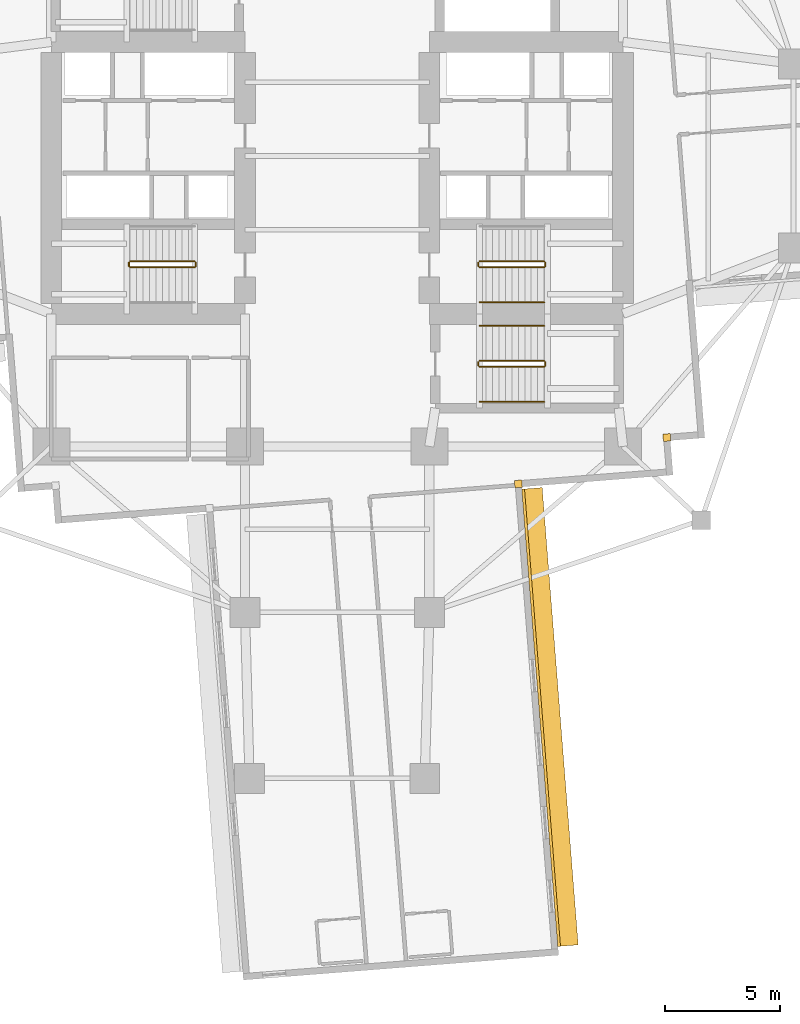
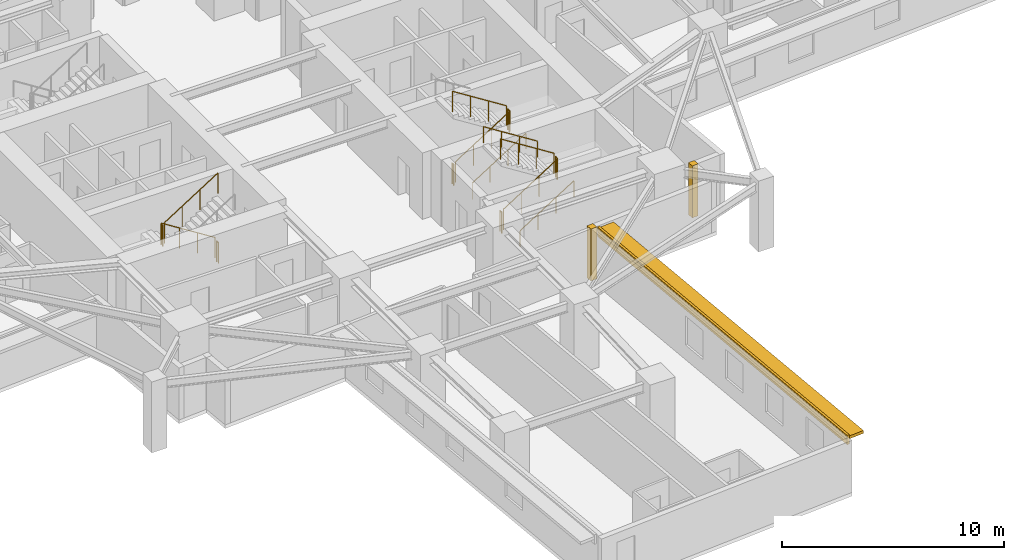
# One storey, part 10 of 13: 15 railings, 3 coverings, 1 shading device.
"""IFC4 building model written with IfcOpenShell, lengths in metres."""

import ifcopenshell
import ifcopenshell.guid

model = None  # the IFC model being written
_history = None  # IfcOwnerHistory: only IFC2X3 demands one
_inside = {}  # id of a spatial element -> (the spatial element, [elements in it])
_under = {}  # id of a project, library or spatial element -> (it, [spatial elements below it])
_declared = {}  # id of a project -> (the project, [libraries it declares])
_typed = {}  # id of a type object -> (the type object, [elements of that type])
_made_of = {}  # id of a material, layer set ... -> (it, [elements and type objects made of it])


def new_model(schema):
    """Start an empty IFC model of exactly this schema.

    Asked for "IFC4X3", IfcOpenShell would pick the latest addendum, in which some entities
    have other attributes; the version numbers below select the first issue.
    IFC2X3 requires an IfcOwnerHistory on every rooted entity: one is made here for all.
    """
    global model, _history
    if schema == "IFC4X3":
        model = ifcopenshell.file(schema_version=(4, 3, 0, 0))
    else:
        model = ifcopenshell.file(schema=schema)
    _inside.clear()
    _under.clear()
    _declared.clear()
    _typed.clear()
    _made_of.clear()
    _history = None
    if model.schema == "IFC2X3":
        org = make("IfcOrganization", Name="unknown")
        user = make(
            "IfcPersonAndOrganization",
            ThePerson=make("IfcPerson", FamilyName="unknown"),
            TheOrganization=org,
        )
        app = make(
            "IfcApplication",
            ApplicationDeveloper=org,
            Version="unknown",
            ApplicationFullName="unknown",
            ApplicationIdentifier="unknown",
        )
        _history = make(
            "IfcOwnerHistory",
            OwningUser=user,
            OwningApplication=app,
            ChangeAction="ADDED",
            CreationDate=0,
        )
    return model


def make(cls, **values):
    """One entity of the class cls with the attributes given. An attribute that is None is left unset."""
    return model.create_entity(
        cls, **{name: value for name, value in values.items() if value is not None}
    )


def rooted(cls, **values):
    """An entity with a GlobalId (a new one), such as an element, a storey or a relation."""
    return make(cls, GlobalId=ifcopenshell.guid.new(), OwnerHistory=_history, **values)


def si_unit(unit_type, name, prefix=None):
    """IfcSIUnit, for example si_unit("LENGTHUNIT", "METRE", prefix="MILLI")."""
    return make("IfcSIUnit", UnitType=unit_type, Prefix=prefix, Name=name)


def assignment(units):
    """IfcUnitAssignment: the units of a project."""
    return None if units is None else make("IfcUnitAssignment", Units=units)


def point(xyz):
    """IfcCartesianPoint."""
    return None if xyz is None else make("IfcCartesianPoint", Coordinates=xyz)


def direction(xyz):
    """IfcDirection."""
    return None if xyz is None else make("IfcDirection", DirectionRatios=xyz)


def frame(location, z_axis=None, x_axis=None):
    """IfcAxis2Placement3D, a coordinate frame: its origin and axes. An axis left out is left unset."""
    return make(
        "IfcAxis2Placement3D",
        Location=point(location),
        Axis=direction(z_axis),
        RefDirection=direction(x_axis),
    )


def frame_2d(location, x_axis=None):
    """IfcAxis2Placement2D, a coordinate frame in the plane: its origin and x axis."""
    return make(
        "IfcAxis2Placement2D", Location=point(location), RefDirection=direction(x_axis)
    )


def origin():
    """The frame at (0, 0, 0) with its axes left unset."""
    return frame((0.0, 0.0, 0.0))


def origin_2d():
    """The frame at (0, 0) in the plane with its x axis left unset."""
    return frame_2d((0.0, 0.0))


def place(relative_to, where):
    """IfcLocalPlacement: puts the frame where relative to a parent placement (None: the world)."""
    return make(
        "IfcLocalPlacement", PlacementRelTo=relative_to, RelativePlacement=where
    )


def context(
    kind, dimensions, precision=None, world=None, true_north=None, identifier=None
):
    """IfcGeometricRepresentationContext, for example the 3D "Model" context."""
    return make(
        "IfcGeometricRepresentationContext",
        ContextIdentifier=identifier,
        ContextType=kind,
        CoordinateSpaceDimension=dimensions,
        Precision=precision,
        WorldCoordinateSystem=world,
        TrueNorth=true_north,
    )


def subcontext(parent, identifier, kind, view, scale=None):
    """IfcGeometricRepresentationSubContext, for example "Body" below "Model"."""
    return make(
        "IfcGeometricRepresentationSubContext",
        ContextIdentifier=identifier,
        ContextType=kind,
        ParentContext=parent,
        TargetScale=scale,
        TargetView=view,
    )


def project(units=None, contexts=None):
    """IfcProject with its units and contexts."""
    return rooted(
        "IfcProject",
        Name="project",
        RepresentationContexts=contexts,
        UnitsInContext=assignment(units),
    )


def spatial(cls, under=None, at=None, **own):
    """A site, building, storey or space (cls), placed at a placement, below another one or the project."""
    s = rooted(cls, ObjectPlacement=at, **own)
    if under is not None:
        _under.setdefault(under.id(), (under, []))[1].append(s)
    return s


def profile(cls, at=None, kind="AREA", **sizes):
    """A parametric profile (cls). Its sizes go by their IFC names, for example OverallWidth=200.0."""
    return make(cls, ProfileType=kind, Position=at, **sizes)


def rectangle(**sizes):
    """IfcRectangleProfileDef."""
    return profile("IfcRectangleProfileDef", **sizes)


def circle(**sizes):
    """IfcCircleProfileDef."""
    return profile("IfcCircleProfileDef", **sizes)


def extrude(swept, where, along, depth):
    """IfcExtrudedAreaSolid: the profile swept, set in the frame where, extruded along a direction by depth."""
    return make(
        "IfcExtrudedAreaSolid",
        SweptArea=swept,
        Position=where,
        ExtrudedDirection=direction(along),
        Depth=depth,
    )


def shape(context_of_items, identifier, shape_type, items):
    """IfcShapeRepresentation: the items that make up one representation, for example the "Body"."""
    return make(
        "IfcShapeRepresentation",
        ContextOfItems=context_of_items,
        RepresentationIdentifier=identifier,
        RepresentationType=shape_type,
        Items=items,
    )


def material(Name=None, Category=None):
    """IfcMaterial."""
    return make("IfcMaterial", Name=Name, Category=Category)


def layer(
    of_material, thickness, ventilated=None, Name=None, Category=None, Priority=None
):
    """IfcMaterialLayer: one layer of a wall or slab, of a material (None: an air gap)."""
    return make(
        "IfcMaterialLayer",
        Material=of_material,
        LayerThickness=thickness,
        IsVentilated=ventilated,
        Name=Name,
        Category=Category,
        Priority=Priority,
    )


def layer_set(layers, Name=None):
    """IfcMaterialLayerSet."""
    return make("IfcMaterialLayerSet", MaterialLayers=layers, LayerSetName=Name)


def made_of(thing, what):
    """Note that an element or type object is made of a material, layer set ...; save() writes the relation."""
    if what is not None:
        _made_of.setdefault(what.id(), (what, []))[1].append(thing)
    return thing


def type_object(cls, material=None, **own):
    """A type object (cls), such as IfcWallType, which elements share."""
    return made_of(rooted(cls, **own), material)


def element(
    cls,
    number,
    at=None,
    inside=None,
    cuts=None,
    type_object=None,
    material=None,
    context=None,
    identifier="Body",
    shape_type=None,
    held_by="IfcProductDefinitionShape",
    body=None,
    shapes=None,
    **own,
):
    """One element of the class cls, such as IfcWall. Its Tag is "e" and its number.

    at: its placement. inside: the storey or other place that contains it. cuts: it is an
    opening in that element (IfcRelVoidsElement). A single representation is given by context,
    identifier, shape_type and body (its items); several are given by shapes. held_by: the class
    of the entity that holds the representations. save() writes the other relations.
    """
    e = rooted(cls, Tag="e%d" % number, ObjectPlacement=at, **own)
    if body is not None:
        shapes = [shape(context, identifier, shape_type, body)]
    if shapes is not None:
        e.Representation = make(held_by, Representations=shapes)
    if inside is not None:
        _inside.setdefault(inside.id(), (inside, []))[1].append(e)
    if cuts is not None:
        rooted(
            "IfcRelVoidsElement", RelatingBuildingElement=cuts, RelatedOpeningElement=e
        )
    if type_object is not None:
        _typed.setdefault(type_object.id(), (type_object, []))[1].append(e)
    return made_of(e, material)


def aggregate(whole, parts):
    """IfcRelAggregates: a whole, such as a stair, and the parts it consists of."""
    return rooted("IfcRelAggregates", RelatingObject=whole, RelatedObjects=parts)


def save(model, path):
    """Write the relations noted so far, then the file.

    IfcRelAggregates (storeys below a building ...), IfcRelContainedInSpatialStructure (elements
    in a storey), IfcRelDefinesByType, IfcRelAssociatesMaterial and IfcRelDeclares: one each for
    every whole, place, type object, material and project.
    """
    for whole, parts in _under.values():
        aggregate(whole, parts)
    for where, things in _inside.values():
        rooted(
            "IfcRelContainedInSpatialStructure",
            RelatedElements=things,
            RelatingStructure=where,
        )
    for kind, things in _typed.values():
        rooted("IfcRelDefinesByType", RelatedObjects=things, RelatingType=kind)
    for what, things in _made_of.values():
        rooted("IfcRelAssociatesMaterial", RelatedObjects=things, RelatingMaterial=what)
    for by, libraries in _declared.values():
        rooted("IfcRelDeclares", RelatingContext=by, RelatedDefinitions=libraries)
    model.write(path)


model = new_model("IFC4")

# Units and contexts
model_context = context("Model", 3, precision=1e-05, world=origin(), true_north=direction((0.0, 1.0)))
body_context = subcontext(model_context, "Body", "Model", "MODEL_VIEW")
ifc_project = project(units=[si_unit("LENGTHUNIT", "METRE"), si_unit("AREAUNIT", "SQUARE_METRE"), si_unit("VOLUMEUNIT", "CUBIC_METRE"), si_unit("PLANEANGLEUNIT", "RADIAN"), si_unit("MASSUNIT", "GRAM", prefix="KILO")], contexts=[model_context])

# Site, building, storey
site_placement = place(None, origin())
site = spatial("IfcSite", under=ifc_project, at=site_placement, CompositionType="ELEMENT")
building_placement = place(site_placement, origin())
building = spatial("IfcBuilding", under=site, at=building_placement, Name="Qingluan Cross Belvedere", CompositionType="ELEMENT")
storey_placement = place(building_placement, frame((0.0, 0.0, 43.199951171875)))
storey = spatial("IfcBuildingStorey", under=building, at=storey_placement, Name="L11", CompositionType="ELEMENT", Elevation=43.199951171875)

# Coverings
ifc_material_1 = material(Name="Precast concrete C45", Category="concrete")
ifc_layer_1 = layer(ifc_material_1, 0.1201171875, Name="ConcreteSpandrelCladding_120")
ifc_layer_set_1 = layer_set([ifc_layer_1], Name="Precast concrete C45")
covering_type = type_object("IfcCoveringType", Name="ConcreteSpandrelCladding_120", PredefinedType="CLADDING", material=ifc_layer_set_1)
covering_placement = place(storey_placement, frame((8.849365234375, -24.370849609375, 2.400146484375), z_axis=(0.0, 0.0, 1.0), x_axis=(-0.078457869429, 0.996917430244, 0.0)))
element("IfcCovering", 1, at=covering_placement, inside=storey, type_object=covering_type, Name="Spandrel cladding L11-SB", PredefinedType="CLADDING", context=body_context, shape_type="SweptSolid", body=[
    extrude(rectangle(XDim=19.89990234375, YDim=0.1201171875, at=origin_2d()), origin(), (0.0, 0.0, 1.0), 0.52001953125),
])
for number, where, z_axis, x_axis, name in (
    (2, (14.302490234375, -12.215576171875, 0.0), (0.0, 0.0, 1.0), (0.996917333733, 0.078459095728, 0.0), "Corner closure L11-SE1"),
    (3, (7.860595703125, -14.22705078125, 0.0), (0.0, 0.0, 1.0), (0.996917333733, 0.078459095728, 0.0), "Corner closure L11-SE2"),
):
    element("IfcCovering", number, at=place(storey_placement, frame(where, z_axis=z_axis, x_axis=x_axis)), inside=storey, type_object=covering_type, Name=name, PredefinedType="CLADDING", context=body_context, shape_type="SweptSolid", body=[
        extrude(rectangle(XDim=0.320068359375, YDim=0.320068359375, at=origin_2d()), origin(), (0.0, 0.0, 1.0), 2.860107421875),
    ])

# Shading device
ifc_material_2 = material(Name="Precast concrete C45", Category="concrete")
ifc_layer_2 = layer(ifc_material_2, 0.159912109375, Name="ConcreteSunshadeBand_900")
ifc_layer_set_2 = layer_set([ifc_layer_2], Name="Precast concrete C45")
shading_device_type = type_object("IfcShadingDeviceType", Name="ConcreteSunshadeBand_900", PredefinedType="USERDEFINED", material=ifc_layer_set_2)
shading_device_placement = place(storey_placement, frame((9.228271484375, -24.341064453125, 2.68017578125), z_axis=(0.0, 0.0, 1.0), x_axis=(-0.078457869429, 0.996917430244, 0.0)))
element("IfcShadingDevice", 4, at=shading_device_placement, inside=storey, type_object=shading_device_type, Name="Concrete SUNSHADE L11-SB", ObjectType="SUNSHADE", PredefinedType="USERDEFINED", context=body_context, shape_type="SweptSolid", body=[
    extrude(rectangle(XDim=19.89990234375, YDim=0.89990234375, at=origin_2d()), origin(), (0.0, 0.0, 1.0), 0.159912109375),
])

# Railings
ifc_material_3 = material(Name="Brushed stainless steel tubular handrail", Category="steel")
railing_type_1 = type_object("IfcRailingType", Name="StairPitchHandrail_900", PredefinedType="HANDRAIL", material=ifc_material_3)
for number, where, name in (
    (5, (6.179931640625, -6.35009765625, 0.17724609375), "L11 ST2 stair handrail 1"),
    (6, (6.179931640625, -10.669921875, 0.17724609375), "L11 ST4 stair handrail 1"),
):
    element("IfcRailing", number, at=place(storey_placement, frame(where)), inside=storey, type_object=railing_type_1, Name=name, PredefinedType="HANDRAIL", context=body_context, shape_type="SweptSolid", body=[
        extrude(circle(Radius=0.02392578125, at=origin_2d()), frame((0.0, 0.0, 0.8759765625), z_axis=(0.844908973607, 0.0, 0.534910110503), x_axis=(0.0, 1.0, 0.0)), (0.0, 0.0, 1.0), 3.31396484375),
        extrude(circle(Radius=0.02099609375, at=origin_2d()), origin(), (0.0, 0.0, 1.0), 0.851806640625),
        extrude(circle(Radius=0.02099609375, at=origin_2d()), frame((0.933349609375, 0.0, 0.5908203125)), (0.0, 0.0, 1.0), 0.851806640625),
        extrude(circle(Radius=0.02099609375, at=origin_2d()), frame((1.86669921875, 0.0, 1.181884765625)), (0.0, 0.0, 1.0), 0.851806640625),
        extrude(circle(Radius=0.02099609375, at=origin_2d()), frame((2.800048828125, 0.0, 1.772705078125)), (0.0, 0.0, 1.0), 0.851806640625),
    ])
railing_1_placement = place(storey_placement, frame((8.97998046875, -7.3701171875, 2.12744140625)))
element("IfcRailing", 7, at=railing_1_placement, inside=storey, type_object=railing_type_1, Name="L11 ST4 stair handrail 2", PredefinedType="HANDRAIL", context=body_context, shape_type="SweptSolid", body=[
    extrude(circle(Radius=0.02392578125, at=origin_2d()), frame((0.0, 0.0, 0.8759765625), z_axis=(-0.844908973607, 0.0, 0.534910110503), x_axis=(0.0, -1.0, 0.0)), (0.0, 0.0, 1.0), 3.31396484375),
    extrude(circle(Radius=0.02099609375, at=origin_2d()), origin(), (0.0, 0.0, 1.0), 0.851806640625),
    extrude(circle(Radius=0.02099609375, at=origin_2d()), frame((-0.933349609375, 0.0, 0.5908203125)), (0.0, 0.0, 1.0), 0.851806640625),
    extrude(circle(Radius=0.02099609375, at=origin_2d()), frame((-1.86669921875, 0.0, 1.181884765625)), (0.0, 0.0, 1.0), 0.851806640625),
    extrude(circle(Radius=0.02099609375, at=origin_2d()), frame((-2.800048828125, 0.0, 1.772705078125)), (0.0, 0.0, 1.0), 0.851806640625),
])
ifc_material_4 = material(Name="Painted steel stair well guard", Category="steel")
railing_type_2 = type_object("IfcRailingType", Name="StairWellGuard_1150", PredefinedType="BALUSTRADE", material=ifc_material_4)
railing_2_placement = place(storey_placement, frame((-6.179931640625, -4.570068359375, 0.17724609375)))
element("IfcRailing", 8, at=railing_2_placement, inside=storey, type_object=railing_type_2, Name="L11 ST1 stair guard 1", PredefinedType="BALUSTRADE", context=body_context, shape_type="SweptSolid", body=[
    extrude(circle(Radius=0.02392578125, at=origin_2d()), frame((0.0, 0.0, 1.1259765625), z_axis=(-0.844908973607, 0.0, 0.534910110503), x_axis=(0.0, -1.0, 0.0)), (0.0, 0.0, 1.0), 3.31396484375),
    extrude(circle(Radius=0.02099609375, at=origin_2d()), origin(), (0.0, 0.0, 1.0), 1.101806640625),
    extrude(circle(Radius=0.02099609375, at=origin_2d()), frame((-0.933349609375, 0.0, 0.5908203125)), (0.0, 0.0, 1.0), 1.101806640625),
    extrude(circle(Radius=0.02099609375, at=origin_2d()), frame((-1.86669921875, 0.0, 1.181884765625)), (0.0, 0.0, 1.0), 1.101806640625),
    extrude(circle(Radius=0.02099609375, at=origin_2d()), frame((-2.800048828125, 0.0, 1.772705078125)), (0.0, 0.0, 1.0), 1.101806640625),
])
railing_3_placement = place(storey_placement, frame((-9.030029296875, -4.6201171875, 1.949951171875)))
element("IfcRailing", 9, at=railing_3_placement, inside=storey, type_object=railing_type_2, Name="L11 ST1 stair guard 2", PredefinedType="BALUSTRADE", context=body_context, shape_type="SweptSolid", body=[
    extrude(circle(Radius=0.02392578125, at=origin_2d()), frame((0.0, 0.0, 1.1259765625), z_axis=(0.0, -1.0, 0.0), x_axis=(1.0, 0.0, 0.0)), (0.0, 0.0, 1.0), 0.159912109375),
    extrude(circle(Radius=0.02099609375, at=origin_2d()), origin(), (0.0, 0.0, 1.0), 1.101806640625),
    extrude(circle(Radius=0.02099609375, at=origin_2d()), frame((0.0, -0.159912109375, 0.0)), (0.0, 0.0, 1.0), 1.101806640625),
])
railing_4_placement = place(storey_placement, frame((-8.97998046875, -4.830078125, 2.12744140625)))
element("IfcRailing", 10, at=railing_4_placement, inside=storey, type_object=railing_type_2, Name="L11 ST1 stair guard 3", PredefinedType="BALUSTRADE", context=body_context, shape_type="SweptSolid", body=[
    extrude(circle(Radius=0.02392578125, at=origin_2d()), frame((0.0, 0.0, 1.1259765625), z_axis=(0.844908973607, 0.0, 0.534910110503), x_axis=(0.0, 1.0, 0.0)), (0.0, 0.0, 1.0), 3.31396484375),
    extrude(circle(Radius=0.02099609375, at=origin_2d()), origin(), (0.0, 0.0, 1.0), 1.101806640625),
    extrude(circle(Radius=0.02099609375, at=origin_2d()), frame((0.933349609375, 0.0, 0.5908203125)), (0.0, 0.0, 1.0), 1.101806640625),
    extrude(circle(Radius=0.02099609375, at=origin_2d()), frame((1.86669921875, 0.0, 1.181884765625)), (0.0, 0.0, 1.0), 1.101806640625),
    extrude(circle(Radius=0.02099609375, at=origin_2d()), frame((2.800048828125, 0.0, 1.772705078125)), (0.0, 0.0, 1.0), 1.101806640625),
])
railing_5_placement = place(storey_placement, frame((-6.1298828125, -4.6201171875, 0.0)))
element("IfcRailing", 11, at=railing_5_placement, inside=storey, type_object=railing_type_2, Name="L11 ST1 stair guard 4", PredefinedType="BALUSTRADE", context=body_context, shape_type="SweptSolid", body=[
    extrude(circle(Radius=0.02392578125, at=origin_2d()), frame((0.0, 0.0, 1.1259765625), z_axis=(0.0, -1.0, 0.0), x_axis=(1.0, 0.0, 0.0)), (0.0, 0.0, 1.0), 0.159912109375),
    extrude(circle(Radius=0.02099609375, at=origin_2d()), origin(), (0.0, 0.0, 1.0), 1.101806640625),
    extrude(circle(Radius=0.02099609375, at=origin_2d()), frame((0.0, -0.159912109375, 0.0)), (0.0, 0.0, 1.0), 1.101806640625),
])
railing_6_placement = place(storey_placement, frame((6.179931640625, -4.830078125, 0.17724609375)))
element("IfcRailing", 12, at=railing_6_placement, inside=storey, type_object=railing_type_2, Name="L11 ST2 stair guard 1", PredefinedType="BALUSTRADE", context=body_context, shape_type="SweptSolid", body=[
    extrude(circle(Radius=0.02392578125, at=origin_2d()), frame((0.0, 0.0, 1.1259765625), z_axis=(0.844908973607, 0.0, 0.534910110503), x_axis=(0.0, 1.0, 0.0)), (0.0, 0.0, 1.0), 3.31396484375),
    extrude(circle(Radius=0.02099609375, at=origin_2d()), origin(), (0.0, 0.0, 1.0), 1.101806640625),
    extrude(circle(Radius=0.02099609375, at=origin_2d()), frame((0.933349609375, 0.0, 0.5908203125)), (0.0, 0.0, 1.0), 1.101806640625),
    extrude(circle(Radius=0.02099609375, at=origin_2d()), frame((1.86669921875, 0.0, 1.181884765625)), (0.0, 0.0, 1.0), 1.101806640625),
    extrude(circle(Radius=0.02099609375, at=origin_2d()), frame((2.800048828125, 0.0, 1.772705078125)), (0.0, 0.0, 1.0), 1.101806640625),
])
railing_7_placement = place(storey_placement, frame((9.030029296875, -4.780029296875, 1.949951171875)))
element("IfcRailing", 13, at=railing_7_placement, inside=storey, type_object=railing_type_2, Name="L11 ST2 stair guard 2", PredefinedType="BALUSTRADE", context=body_context, shape_type="SweptSolid", body=[
    extrude(circle(Radius=0.02392578125, at=origin_2d()), frame((0.0, 0.0, 1.1259765625), z_axis=(0.0, 1.0, 0.0), x_axis=(-1.0, 0.0, 0.0)), (0.0, 0.0, 1.0), 0.159912109375),
    extrude(circle(Radius=0.02099609375, at=origin_2d()), origin(), (0.0, 0.0, 1.0), 1.101806640625),
    extrude(circle(Radius=0.02099609375, at=origin_2d()), frame((0.0, 0.159912109375, 0.0)), (0.0, 0.0, 1.0), 1.101806640625),
])
railing_8_placement = place(storey_placement, frame((8.97998046875, -4.570068359375, 2.12744140625)))
element("IfcRailing", 14, at=railing_8_placement, inside=storey, type_object=railing_type_2, Name="L11 ST2 stair guard 3", PredefinedType="BALUSTRADE", context=body_context, shape_type="SweptSolid", body=[
    extrude(circle(Radius=0.02392578125, at=origin_2d()), frame((0.0, 0.0, 1.1259765625), z_axis=(-0.844908973607, 0.0, 0.534910110503), x_axis=(0.0, -1.0, 0.0)), (0.0, 0.0, 1.0), 3.31396484375),
    extrude(circle(Radius=0.02099609375, at=origin_2d()), origin(), (0.0, 0.0, 1.0), 1.101806640625),
    extrude(circle(Radius=0.02099609375, at=origin_2d()), frame((-0.933349609375, 0.0, 0.5908203125)), (0.0, 0.0, 1.0), 1.101806640625),
    extrude(circle(Radius=0.02099609375, at=origin_2d()), frame((-1.86669921875, 0.0, 1.181884765625)), (0.0, 0.0, 1.0), 1.101806640625),
    extrude(circle(Radius=0.02099609375, at=origin_2d()), frame((-2.800048828125, 0.0, 1.772705078125)), (0.0, 0.0, 1.0), 1.101806640625),
])
railing_9_placement = place(storey_placement, frame((6.1298828125, -4.780029296875, 0.0)))
element("IfcRailing", 15, at=railing_9_placement, inside=storey, type_object=railing_type_2, Name="L11 ST2 stair guard 4", PredefinedType="BALUSTRADE", context=body_context, shape_type="SweptSolid", body=[
    extrude(circle(Radius=0.02392578125, at=origin_2d()), frame((0.0, 0.0, 1.1259765625), z_axis=(0.0, 1.0, 0.0), x_axis=(-1.0, 0.0, 0.0)), (0.0, 0.0, 1.0), 0.159912109375),
    extrude(circle(Radius=0.02099609375, at=origin_2d()), origin(), (0.0, 0.0, 1.0), 1.101806640625),
    extrude(circle(Radius=0.02099609375, at=origin_2d()), frame((0.0, 0.159912109375, 0.0)), (0.0, 0.0, 1.0), 1.101806640625),
])
railing_10_placement = place(storey_placement, frame((6.179931640625, -9.14990234375, 0.17724609375)))
element("IfcRailing", 16, at=railing_10_placement, inside=storey, type_object=railing_type_2, Name="L11 ST4 stair guard 1", PredefinedType="BALUSTRADE", context=body_context, shape_type="SweptSolid", body=[
    extrude(circle(Radius=0.02392578125, at=origin_2d()), frame((0.0, 0.0, 1.1259765625), z_axis=(0.844908973607, 0.0, 0.534910110503), x_axis=(0.0, 1.0, 0.0)), (0.0, 0.0, 1.0), 3.31396484375),
    extrude(circle(Radius=0.02099609375, at=origin_2d()), origin(), (0.0, 0.0, 1.0), 1.101806640625),
    extrude(circle(Radius=0.02099609375, at=origin_2d()), frame((0.933349609375, 0.0, 0.5908203125)), (0.0, 0.0, 1.0), 1.101806640625),
    extrude(circle(Radius=0.02099609375, at=origin_2d()), frame((1.86669921875, 0.0, 1.181884765625)), (0.0, 0.0, 1.0), 1.101806640625),
    extrude(circle(Radius=0.02099609375, at=origin_2d()), frame((2.800048828125, 0.0, 1.772705078125)), (0.0, 0.0, 1.0), 1.101806640625),
])
railing_11_placement = place(storey_placement, frame((9.030029296875, -9.10009765625, 1.949951171875)))
element("IfcRailing", 17, at=railing_11_placement, inside=storey, type_object=railing_type_2, Name="L11 ST4 stair guard 2", PredefinedType="BALUSTRADE", context=body_context, shape_type="SweptSolid", body=[
    extrude(circle(Radius=0.02392578125, at=origin_2d()), frame((0.0, 0.0, 1.1259765625), z_axis=(0.0, 1.0, 0.0), x_axis=(-1.0, 0.0, 0.0)), (0.0, 0.0, 1.0), 0.16015625),
    extrude(circle(Radius=0.02099609375, at=origin_2d()), origin(), (0.0, 0.0, 1.0), 1.101806640625),
    extrude(circle(Radius=0.02099609375, at=origin_2d()), frame((0.0, 0.16015625, 0.0)), (0.0, 0.0, 1.0), 1.101806640625),
])
railing_12_placement = place(storey_placement, frame((8.97998046875, -8.889892578125, 2.12744140625)))
element("IfcRailing", 18, at=railing_12_placement, inside=storey, type_object=railing_type_2, Name="L11 ST4 stair guard 3", PredefinedType="BALUSTRADE", context=body_context, shape_type="SweptSolid", body=[
    extrude(circle(Radius=0.02392578125, at=origin_2d()), frame((0.0, 0.0, 1.1259765625), z_axis=(-0.844908973607, 0.0, 0.534910110503), x_axis=(0.0, -1.0, 0.0)), (0.0, 0.0, 1.0), 3.31396484375),
    extrude(circle(Radius=0.02099609375, at=origin_2d()), origin(), (0.0, 0.0, 1.0), 1.101806640625),
    extrude(circle(Radius=0.02099609375, at=origin_2d()), frame((-0.933349609375, 0.0, 0.5908203125)), (0.0, 0.0, 1.0), 1.101806640625),
    extrude(circle(Radius=0.02099609375, at=origin_2d()), frame((-1.86669921875, 0.0, 1.181884765625)), (0.0, 0.0, 1.0), 1.101806640625),
    extrude(circle(Radius=0.02099609375, at=origin_2d()), frame((-2.800048828125, 0.0, 1.772705078125)), (0.0, 0.0, 1.0), 1.101806640625),
])
railing_13_placement = place(storey_placement, frame((6.1298828125, -9.10009765625, 0.0)))
element("IfcRailing", 19, at=railing_13_placement, inside=storey, type_object=railing_type_2, Name="L11 ST4 stair guard 4", PredefinedType="BALUSTRADE", context=body_context, shape_type="SweptSolid", body=[
    extrude(circle(Radius=0.02392578125, at=origin_2d()), frame((0.0, 0.0, 1.1259765625), z_axis=(0.0, 1.0, 0.0), x_axis=(-1.0, 0.0, 0.0)), (0.0, 0.0, 1.0), 0.16015625),
    extrude(circle(Radius=0.02099609375, at=origin_2d()), origin(), (0.0, 0.0, 1.0), 1.101806640625),
    extrude(circle(Radius=0.02099609375, at=origin_2d()), frame((0.0, 0.16015625, 0.0)), (0.0, 0.0, 1.0), 1.101806640625),
])

save(model, "model.ifc")
